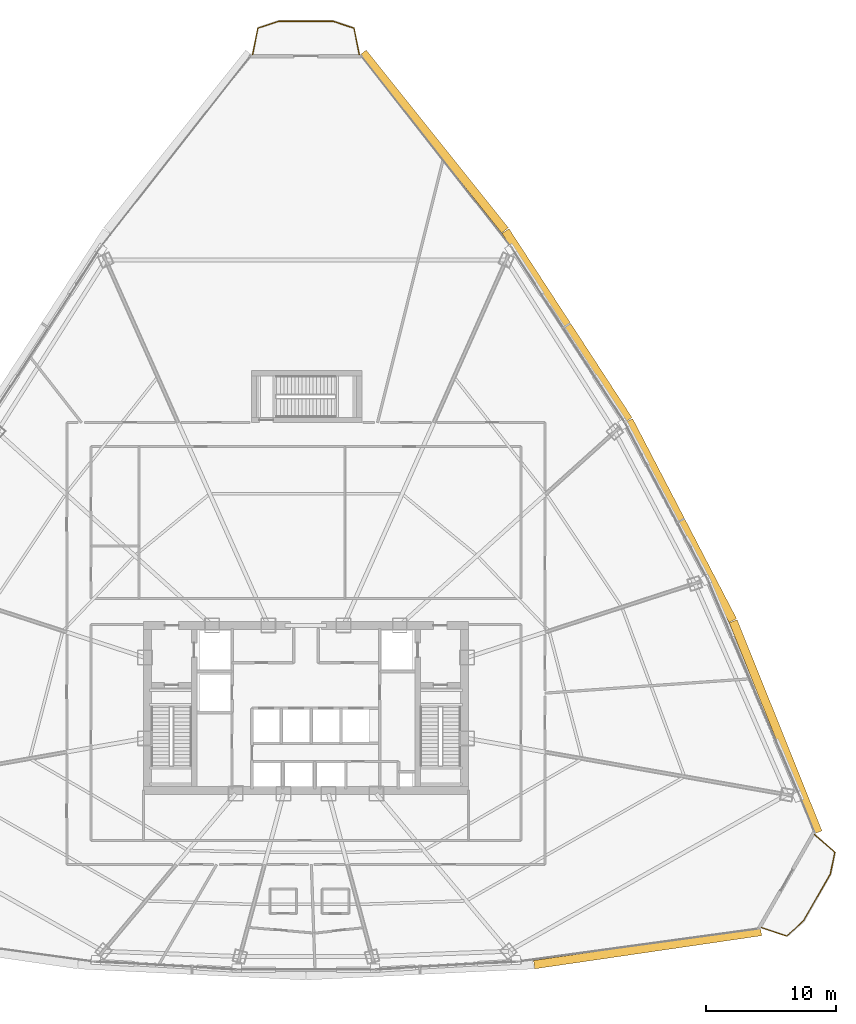
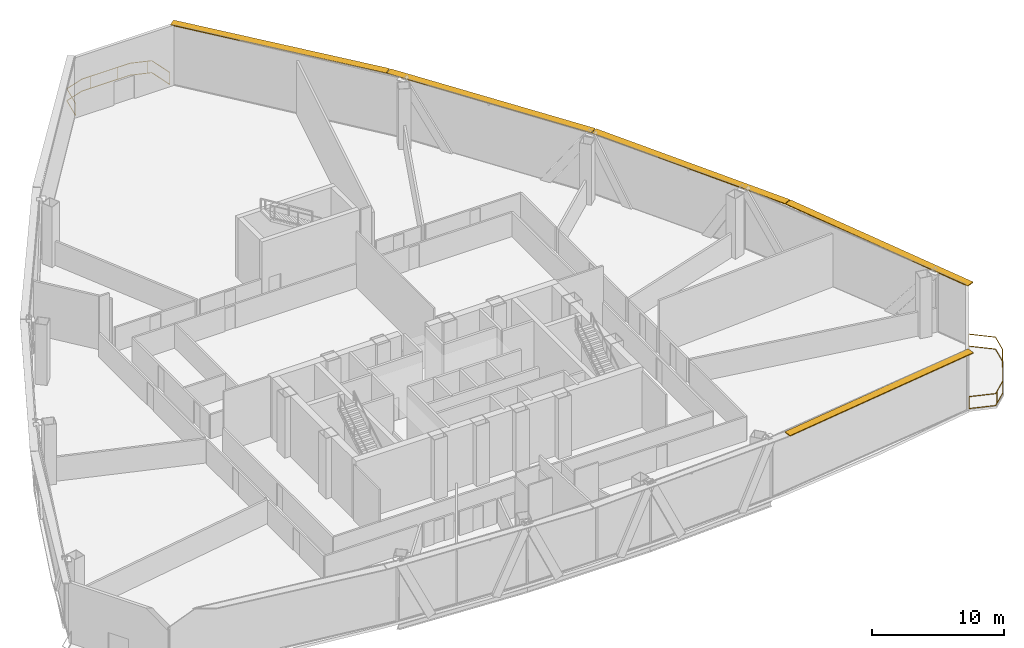
# One storey, part 40 of 40: 5 shading devices, 2 railings.
"""IFC4 building model written with IfcOpenShell, lengths in metres."""

from ifc_helpers import new_model, si_unit, direction, frame, origin, origin_2d, place, context, subcontext, project, spatial, rectangle, extrude, source, transform, mapped, material, layer, layer_set, type_object, element, save


model = new_model("IFC4")

# Units and contexts
model_context = context("Model", 3, precision=1e-05, world=origin(), true_north=direction((0.0, 1.0)))
body_context = subcontext(model_context, "Body", "Model", "MODEL_VIEW")
ifc_project = project(units=[si_unit("LENGTHUNIT", "METRE"), si_unit("AREAUNIT", "SQUARE_METRE"), si_unit("VOLUMEUNIT", "CUBIC_METRE"), si_unit("PLANEANGLEUNIT", "RADIAN"), si_unit("MASSUNIT", "GRAM", prefix="KILO"), si_unit("THERMODYNAMICTEMPERATUREUNIT", "KELVIN"), si_unit("POWERUNIT", "WATT")], contexts=[model_context])

# Site, building, storey
site_placement = place(None, origin())
site = spatial("IfcSite", under=ifc_project, at=site_placement, CompositionType="ELEMENT")
building_placement = place(site_placement, origin())
building = spatial("IfcBuilding", under=site, at=building_placement, Name="Yunzhuo Pagoda Commons", CompositionType="ELEMENT")
storey_placement = place(building_placement, frame((0.0, 0.0, 170.31005859375)))
storey = spatial("IfcBuildingStorey", under=building, at=storey_placement, Name="L43", CompositionType="ELEMENT", Elevation=170.31005859375)

# Railings
ifc_material = material(Name="Anodized aluminium 6063-T6", Category="aluminium")
railing_type = type_object("IfcRailingType", Name="RL-BAL1 Exterior Terrace & Balcony Balustrade 1150", PredefinedType="BALUSTRADE", material=ifc_material)
railing_1_placement = place(storey_placement, frame((83.041015625, 16.955322265625, 0.0)))
element("IfcRailing", 1, at=railing_1_placement, inside=storey, type_object=railing_type, Name="L43 corner balcony balustrade V2", PredefinedType="BALUSTRADE", context=body_context, shape_type="SweptSolid", body=[
    extrude(rectangle(XDim=0.048095703125, YDim=0.048095703125, at=origin_2d()), frame((0.0, 0.0, 1.1259765625), z_axis=(0.947419062147, -0.319995501031, 0.0), x_axis=(0.319995501031, 0.947419062147, 0.0)), (0.0, 0.0, 1.0), 2.05908203125),
    extrude(rectangle(XDim=0.048095703125, YDim=0.048095703125, at=origin_2d()), frame((0.0, 0.0, 0.02392578125), z_axis=(0.947419062147, -0.319995501031, 0.0), x_axis=(0.319995501031, 0.947419062147, 0.0)), (0.0, 0.0, 1.0), 2.05908203125),
    extrude(rectangle(XDim=0.048095703125, YDim=0.048095703125, at=origin_2d()), frame((1.950927734375, -0.658935546875, 1.1259765625), z_axis=(0.743044693611, 0.669241797332, 0.0), x_axis=(-0.669241797332, 0.743044693611, 0.0)), (0.0, 0.0, 1.0), 1.70361328125),
    extrude(rectangle(XDim=0.048095703125, YDim=0.048095703125, at=origin_2d()), frame((1.950927734375, -0.658935546875, 0.02392578125), z_axis=(0.743044693611, 0.669241797332, 0.0), x_axis=(-0.669241797332, 0.743044693611, 0.0)), (0.0, 0.0, 1.0), 1.70361328125),
    extrude(rectangle(XDim=0.048095703125, YDim=0.048095703125, at=origin_2d()), frame((3.216796875, 0.481201171875, 1.1259765625), z_axis=(0.497929078037, 0.867217754226, 0.0), x_axis=(-0.867217754226, 0.497929078037, 0.0)), (0.0, 0.0, 1.0), 4.197998046875),
    extrude(rectangle(XDim=0.048095703125, YDim=0.048095703125, at=origin_2d()), frame((3.216796875, 0.481201171875, 0.02392578125), z_axis=(0.497929078037, 0.867217754226, 0.0), x_axis=(-0.867217754226, 0.497929078037, 0.0)), (0.0, 0.0, 1.0), 4.197998046875),
    extrude(rectangle(XDim=0.048095703125, YDim=0.048095703125, at=origin_2d()), frame((5.30712890625, 4.121826171875, 1.1259765625), z_axis=(0.203359032511, 0.97910423546, 0.0), x_axis=(-0.97910423546, 0.203359032511, 0.0)), (0.0, 0.0, 1.0), 1.70361328125),
    extrude(rectangle(XDim=0.048095703125, YDim=0.048095703125, at=origin_2d()), frame((5.30712890625, 4.121826171875, 0.02392578125), z_axis=(0.203359032511, 0.97910423546, 0.0), x_axis=(-0.97910423546, 0.203359032511, 0.0)), (0.0, 0.0, 1.0), 1.70361328125),
    extrude(rectangle(XDim=0.048095703125, YDim=0.048095703125, at=origin_2d()), frame((5.653564453125, 5.789794921875, 1.1259765625), z_axis=(-0.753992555518, 0.656882962348, 0.0), x_axis=(-0.656882962348, -0.753992555518, 0.0)), (0.0, 0.0, 1.0), 2.05908203125),
    extrude(rectangle(XDim=0.048095703125, YDim=0.048095703125, at=origin_2d()), frame((5.653564453125, 5.789794921875, 0.02392578125), z_axis=(-0.753992555518, 0.656882962348, 0.0), x_axis=(-0.656882962348, -0.753992555518, 0.0)), (0.0, 0.0, 1.0), 2.05908203125),
    extrude(rectangle(XDim=0.0419921875, YDim=0.0419921875, at=origin_2d()), origin(), (0.0, 0.0, 1.0), 1.101806640625),
    extrude(rectangle(XDim=0.0419921875, YDim=0.0419921875, at=origin_2d()), frame((2.2041015625, -0.430908203125, 0.0)), (0.0, 0.0, 1.0), 1.101806640625),
    extrude(rectangle(XDim=0.0419921875, YDim=0.0419921875, at=origin_2d()), frame((3.733154296875, 1.380615234375, 0.0)), (0.0, 0.0, 1.0), 1.101806640625),
    extrude(rectangle(XDim=0.0419921875, YDim=0.0419921875, at=origin_2d()), frame((4.92822265625, 3.4619140625, 0.0)), (0.0, 0.0, 1.0), 1.101806640625),
    extrude(rectangle(XDim=0.0419921875, YDim=0.0419921875, at=origin_2d()), frame((4.10107421875, 7.142333984375, 0.0)), (0.0, 0.0, 1.0), 1.101806640625),
])
railing_2_placement = place(storey_placement, frame((52.1005859375, 84.1279296875, 0.0)))
element("IfcRailing", 2, at=railing_2_placement, inside=storey, type_object=railing_type, Name="L43 corner balcony balustrade V3", PredefinedType="BALUSTRADE", context=body_context, shape_type="SweptSolid", body=[
    extrude(rectangle(XDim=0.048095703125, YDim=0.048095703125, at=origin_2d()), frame((0.0, 0.0, 1.1259765625), z_axis=(-0.194200568098, 0.980961843983, 0.0), x_axis=(-0.980961843983, -0.194200568098, 0.0)), (0.0, 0.0, 1.0), 2.059326171875),
    extrude(rectangle(XDim=0.048095703125, YDim=0.048095703125, at=origin_2d()), frame((0.0, 0.0, 0.02392578125), z_axis=(-0.194200568098, 0.980961843983, 0.0), x_axis=(-0.980961843983, -0.194200568098, 0.0)), (0.0, 0.0, 1.0), 2.059326171875),
    extrude(rectangle(XDim=0.048095703125, YDim=0.048095703125, at=origin_2d()), frame((-0.39990234375, 2.02001953125, 1.1259765625), z_axis=(-0.949871781485, 0.312639726744, 0.0), x_axis=(-0.312639726744, -0.949871781485, 0.0)), (0.0, 0.0, 1.0), 1.6953125),
    extrude(rectangle(XDim=0.048095703125, YDim=0.048095703125, at=origin_2d()), frame((-0.39990234375, 2.02001953125, 0.02392578125), z_axis=(-0.949871781485, 0.312639726744, 0.0), x_axis=(-0.312639726744, -0.949871781485, 0.0)), (0.0, 0.0, 1.0), 1.6953125),
    extrude(rectangle(XDim=0.048095703125, YDim=0.048095703125, at=origin_2d()), frame((-2.01025390625, 2.550048828125, 1.1259765625), z_axis=(-1.0, 0.0, 0.0), x_axis=(0.0, -1.0, 0.0)), (0.0, 0.0, 1.0), 4.1806640625),
    extrude(rectangle(XDim=0.048095703125, YDim=0.048095703125, at=origin_2d()), frame((-2.01025390625, 2.550048828125, 0.02392578125), z_axis=(-1.0, 0.0, 0.0), x_axis=(0.0, -1.0, 0.0)), (0.0, 0.0, 1.0), 4.1806640625),
    extrude(rectangle(XDim=0.048095703125, YDim=0.048095703125, at=origin_2d()), frame((-6.19091796875, 2.550048828125, 1.1259765625), z_axis=(-0.949871781485, -0.312639726744, 0.0), x_axis=(0.312639726744, -0.949871781485, 0.0)), (0.0, 0.0, 1.0), 1.6953125),
    extrude(rectangle(XDim=0.048095703125, YDim=0.048095703125, at=origin_2d()), frame((-6.19091796875, 2.550048828125, 0.02392578125), z_axis=(-0.949871781485, -0.312639726744, 0.0), x_axis=(0.312639726744, -0.949871781485, 0.0)), (0.0, 0.0, 1.0), 1.6953125),
    extrude(rectangle(XDim=0.048095703125, YDim=0.048095703125, at=origin_2d()), frame((-7.80126953125, 2.02001953125, 1.1259765625), z_axis=(-0.194200568098, -0.980961843983, 0.0), x_axis=(0.980961843983, -0.194200568098, 0.0)), (0.0, 0.0, 1.0), 2.059326171875),
    extrude(rectangle(XDim=0.048095703125, YDim=0.048095703125, at=origin_2d()), frame((-7.80126953125, 2.02001953125, 0.02392578125), z_axis=(-0.194200568098, -0.980961843983, 0.0), x_axis=(0.980961843983, -0.194200568098, 0.0)), (0.0, 0.0, 1.0), 2.059326171875),
    extrude(rectangle(XDim=0.0419921875, YDim=0.0419921875, at=origin_2d()), origin(), (0.0, 0.0, 1.0), 1.101806640625),
    extrude(rectangle(XDim=0.0419921875, YDim=0.0419921875, at=origin_2d()), frame((-0.7236328125, 2.12646484375, 0.0)), (0.0, 0.0, 1.0), 1.101806640625),
    extrude(rectangle(XDim=0.0419921875, YDim=0.0419921875, at=origin_2d()), frame((-3.0556640625, 2.550048828125, 0.0)), (0.0, 0.0, 1.0), 1.101806640625),
    extrude(rectangle(XDim=0.0419921875, YDim=0.0419921875, at=origin_2d()), frame((-5.455810546875, 2.550048828125, 0.0)), (0.0, 0.0, 1.0), 1.101806640625),
    extrude(rectangle(XDim=0.0419921875, YDim=0.0419921875, at=origin_2d()), frame((-8.201171875, 0.0, 0.0)), (0.0, 0.0, 1.0), 1.101806640625),
])

# Shading devices
ifc_layer = layer(ifc_material, 0.080078125)
ifc_layer_set = layer_set([ifc_layer], Name="Anodized aluminium 6063-T6")
shading_device_type = type_object("IfcShadingDeviceType", Name="SH-SUN1 Pagoda Horizontal Sunshade Eave 650", PredefinedType="USERDEFINED", material=ifc_layer_set)
shared_shape_1 = source(origin(), body_context, "Body", "SweptSolid", [
    extrude(rectangle(XDim=17.64599609375, YDim=0.64990234375, at=origin_2d()), origin(), (0.0, 0.0, 1.0), 0.080078125),
])
shading_device_1_placement = place(storey_placement, frame((74.28564453125, 15.37109375, 5.489990234375), z_axis=(0.0, 0.0, 1.0), x_axis=(0.989510666697, 0.144459823108, 0.0)))
element("IfcShadingDevice", 3, at=shading_device_1_placement, inside=storey, type_object=shading_device_type, Name="L43 horizontal pagoda sunshade eave F1.4", ObjectType="SUNSHADE", PredefinedType="USERDEFINED", context=body_context, shape_type="MappedRepresentation", body=[
    mapped(shared_shape_1, transform((0.0, 0.0, 0.0), scale=1.0)),
])
shared_shape_2 = source(origin(), body_context, "Body", "SweptSolid", [
    extrude(rectangle(XDim=17.50439453125, YDim=0.64990234375, at=origin_2d()), origin(), (0.0, 0.0, 1.0), 0.080078125),
])
shading_device_2_placement = place(storey_placement, frame((84.132568359375, 32.395751953125, 5.489990234375), z_axis=(0.0, 0.0, 1.0), x_axis=(-0.372987782576, 0.927836253899, 0.0)))
element("IfcShadingDevice", 4, at=shading_device_2_placement, inside=storey, type_object=shading_device_type, Name="L43 horizontal pagoda sunshade eave F2.1", ObjectType="SUNSHADE", PredefinedType="USERDEFINED", context=body_context, shape_type="MappedRepresentation", body=[
    mapped(shared_shape_2, transform((0.0, 0.0, 0.0), scale=1.0)),
])
shared_shape_3 = source(origin(), body_context, "Body", "SweptSolid", [
    extrude(rectangle(XDim=17.338134765625, YDim=0.64990234375, at=origin_2d()), origin(), (0.0, 0.0, 1.0), 0.080078125),
])
for number, where, z_axis, x_axis, name in (
    (5, (76.843505859375, 48.265625, 5.489990234375), (0.0, 0.0, 1.0), (-0.461206683033, 0.88729273384, 0.0), "L43 horizontal pagoda sunshade eave F2.2"),
    (6, (68.081298828125, 63.2763671875, 5.489990234375), (0.0, 0.0, 1.0), (-0.545853380833, 0.837880711458, 0.0), "L43 horizontal pagoda sunshade eave F2.3"),
):
    element("IfcShadingDevice", number, at=place(storey_placement, frame(where, z_axis=z_axis, x_axis=x_axis)), inside=storey, type_object=shading_device_type, Name=name, ObjectType="SUNSHADE", PredefinedType="USERDEFINED", context=body_context, shape_type="MappedRepresentation", body=[
        mapped(shared_shape_3, transform((0.0, 0.0, 0.0), scale=1.0)),
    ])
shared_shape_4 = source(origin(), body_context, "Body", "SweptSolid", [
    extrude(rectangle(XDim=17.504150390625, YDim=0.64990234375, at=origin_2d()), origin(), (0.0, 0.0, 1.0), 0.080078125),
])
shading_device_3_placement = place(storey_placement, frame((57.846435546875, 77.4267578125, 5.489990234375), z_axis=(0.0, 0.0, 1.0), x_axis=(-0.624520471688, 0.781008438138, 0.0)))
element("IfcShadingDevice", 7, at=shading_device_3_placement, inside=storey, type_object=shading_device_type, Name="L43 horizontal pagoda sunshade eave F2.4", ObjectType="SUNSHADE", PredefinedType="USERDEFINED", context=body_context, shape_type="MappedRepresentation", body=[
    mapped(shared_shape_4, transform((0.0, 0.0, 0.0), scale=1.0)),
])

save(model, "model.ifc")
